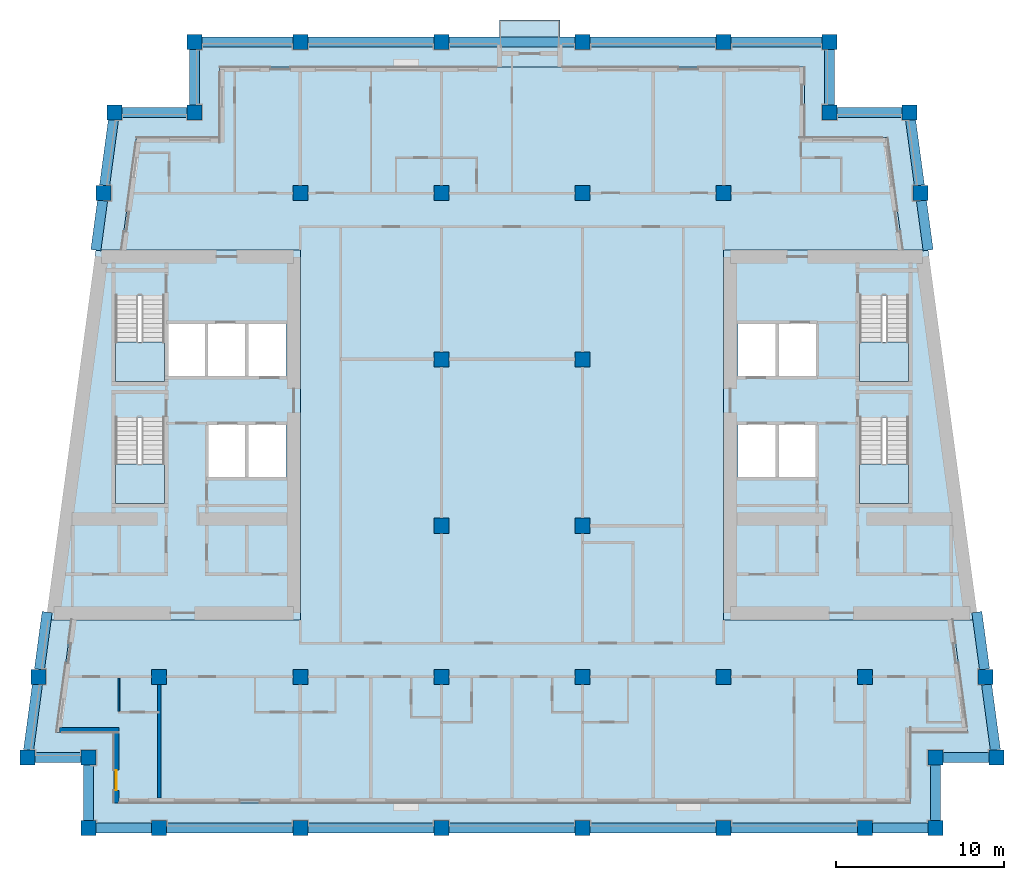
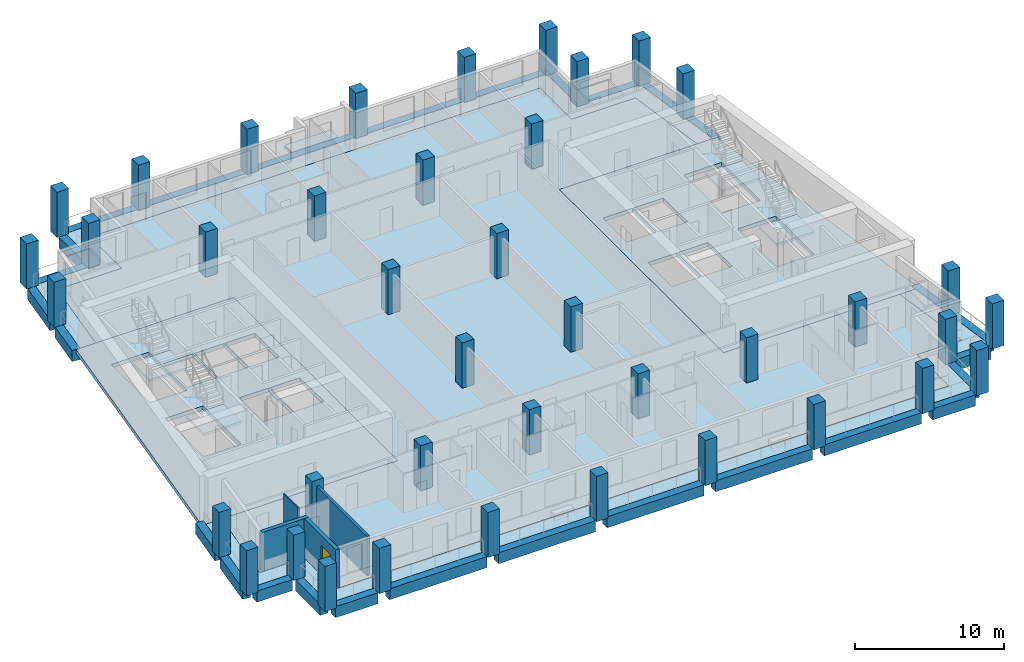
# One storey, part 1 of 13: 40 columns, 28 beams, 10 slabs, 4 walls, 1 door, 1 opening, 4 elements without a shape of their own.
"""IFC4 building model written with IfcOpenShell, lengths in metres."""

import ifcopenshell
import ifcopenshell.guid

model = None  # the IFC model being written
_history = None  # IfcOwnerHistory: only IFC2X3 demands one
_inside = {}  # id of a spatial element -> (the spatial element, [elements in it])
_under = {}  # id of a project, library or spatial element -> (it, [spatial elements below it])
_declared = {}  # id of a project -> (the project, [libraries it declares])
_typed = {}  # id of a type object -> (the type object, [elements of that type])
_made_of = {}  # id of a material, layer set ... -> (it, [elements and type objects made of it])


def new_model(schema):
    """Start an empty IFC model of exactly this schema.

    Asked for "IFC4X3", IfcOpenShell would pick the latest addendum, in which some entities
    have other attributes; the version numbers below select the first issue.
    IFC2X3 requires an IfcOwnerHistory on every rooted entity: one is made here for all.
    """
    global model, _history
    if schema == "IFC4X3":
        model = ifcopenshell.file(schema_version=(4, 3, 0, 0))
    else:
        model = ifcopenshell.file(schema=schema)
    _inside.clear()
    _under.clear()
    _declared.clear()
    _typed.clear()
    _made_of.clear()
    _history = None
    if model.schema == "IFC2X3":
        org = make("IfcOrganization", Name="unknown")
        user = make(
            "IfcPersonAndOrganization",
            ThePerson=make("IfcPerson", FamilyName="unknown"),
            TheOrganization=org,
        )
        app = make(
            "IfcApplication",
            ApplicationDeveloper=org,
            Version="unknown",
            ApplicationFullName="unknown",
            ApplicationIdentifier="unknown",
        )
        _history = make(
            "IfcOwnerHistory",
            OwningUser=user,
            OwningApplication=app,
            ChangeAction="ADDED",
            CreationDate=0,
        )
    return model


def make(cls, **values):
    """One entity of the class cls with the attributes given. An attribute that is None is left unset."""
    return model.create_entity(
        cls, **{name: value for name, value in values.items() if value is not None}
    )


def rooted(cls, **values):
    """An entity with a GlobalId (a new one), such as an element, a storey or a relation."""
    return make(cls, GlobalId=ifcopenshell.guid.new(), OwnerHistory=_history, **values)


def si_unit(unit_type, name, prefix=None):
    """IfcSIUnit, for example si_unit("LENGTHUNIT", "METRE", prefix="MILLI")."""
    return make("IfcSIUnit", UnitType=unit_type, Prefix=prefix, Name=name)


def assignment(units):
    """IfcUnitAssignment: the units of a project."""
    return None if units is None else make("IfcUnitAssignment", Units=units)


def point(xyz):
    """IfcCartesianPoint."""
    return None if xyz is None else make("IfcCartesianPoint", Coordinates=xyz)


def direction(xyz):
    """IfcDirection."""
    return None if xyz is None else make("IfcDirection", DirectionRatios=xyz)


def frame(location, z_axis=None, x_axis=None):
    """IfcAxis2Placement3D, a coordinate frame: its origin and axes. An axis left out is left unset."""
    return make(
        "IfcAxis2Placement3D",
        Location=point(location),
        Axis=direction(z_axis),
        RefDirection=direction(x_axis),
    )


def frame_2d(location, x_axis=None):
    """IfcAxis2Placement2D, a coordinate frame in the plane: its origin and x axis."""
    return make(
        "IfcAxis2Placement2D", Location=point(location), RefDirection=direction(x_axis)
    )


def origin():
    """The frame at (0, 0, 0) with its axes left unset."""
    return frame((0.0, 0.0, 0.0))


def origin_2d():
    """The frame at (0, 0) in the plane with its x axis left unset."""
    return frame_2d((0.0, 0.0))


def place(relative_to, where):
    """IfcLocalPlacement: puts the frame where relative to a parent placement (None: the world)."""
    return make(
        "IfcLocalPlacement", PlacementRelTo=relative_to, RelativePlacement=where
    )


def context(
    kind, dimensions, precision=None, world=None, true_north=None, identifier=None
):
    """IfcGeometricRepresentationContext, for example the 3D "Model" context."""
    return make(
        "IfcGeometricRepresentationContext",
        ContextIdentifier=identifier,
        ContextType=kind,
        CoordinateSpaceDimension=dimensions,
        Precision=precision,
        WorldCoordinateSystem=world,
        TrueNorth=true_north,
    )


def subcontext(parent, identifier, kind, view, scale=None):
    """IfcGeometricRepresentationSubContext, for example "Body" below "Model"."""
    return make(
        "IfcGeometricRepresentationSubContext",
        ContextIdentifier=identifier,
        ContextType=kind,
        ParentContext=parent,
        TargetScale=scale,
        TargetView=view,
    )


def project(units=None, contexts=None):
    """IfcProject with its units and contexts."""
    return rooted(
        "IfcProject",
        Name="project",
        RepresentationContexts=contexts,
        UnitsInContext=assignment(units),
    )


def spatial(cls, under=None, at=None, **own):
    """A site, building, storey or space (cls), placed at a placement, below another one or the project."""
    s = rooted(cls, ObjectPlacement=at, **own)
    if under is not None:
        _under.setdefault(under.id(), (under, []))[1].append(s)
    return s


def polyline(points):
    """IfcPolyline through the points."""
    return make("IfcPolyline", Points=[point(p) for p in points])


def profile(cls, at=None, kind="AREA", **sizes):
    """A parametric profile (cls). Its sizes go by their IFC names, for example OverallWidth=200.0."""
    return make(cls, ProfileType=kind, Position=at, **sizes)


def rectangle(**sizes):
    """IfcRectangleProfileDef."""
    return profile("IfcRectangleProfileDef", **sizes)


def outline(outer, holes=None, kind="AREA"):
    """IfcArbitraryClosedProfileDef: a profile drawn as a closed curve; with holes, ...WithVoids."""
    if holes is None:
        return make("IfcArbitraryClosedProfileDef", ProfileType=kind, OuterCurve=outer)
    return make(
        "IfcArbitraryProfileDefWithVoids",
        ProfileType=kind,
        OuterCurve=outer,
        InnerCurves=holes,
    )


def extrude(swept, where, along, depth):
    """IfcExtrudedAreaSolid: the profile swept, set in the frame where, extruded along a direction by depth."""
    return make(
        "IfcExtrudedAreaSolid",
        SweptArea=swept,
        Position=where,
        ExtrudedDirection=direction(along),
        Depth=depth,
    )


def shape(context_of_items, identifier, shape_type, items):
    """IfcShapeRepresentation: the items that make up one representation, for example the "Body"."""
    return make(
        "IfcShapeRepresentation",
        ContextOfItems=context_of_items,
        RepresentationIdentifier=identifier,
        RepresentationType=shape_type,
        Items=items,
    )


def material(Name=None, Category=None):
    """IfcMaterial."""
    return make("IfcMaterial", Name=Name, Category=Category)


def layer(
    of_material, thickness, ventilated=None, Name=None, Category=None, Priority=None
):
    """IfcMaterialLayer: one layer of a wall or slab, of a material (None: an air gap)."""
    return make(
        "IfcMaterialLayer",
        Material=of_material,
        LayerThickness=thickness,
        IsVentilated=ventilated,
        Name=Name,
        Category=Category,
        Priority=Priority,
    )


def layer_set(layers, Name=None):
    """IfcMaterialLayerSet."""
    return make("IfcMaterialLayerSet", MaterialLayers=layers, LayerSetName=Name)


def material_profile(
    of_material, cross_section, Name=None, Category=None, Priority=None
):
    """IfcMaterialProfile: a cross section and its material."""
    return make(
        "IfcMaterialProfile",
        Name=Name,
        Material=of_material,
        Profile=cross_section,
        Priority=Priority,
        Category=Category,
    )


def profile_set(profiles, Name=None, composite=None):
    """IfcMaterialProfileSet."""
    return make(
        "IfcMaterialProfileSet",
        Name=Name,
        MaterialProfiles=profiles,
        CompositeProfile=composite,
    )


def made_of(thing, what):
    """Note that an element or type object is made of a material, layer set ...; save() writes the relation."""
    if what is not None:
        _made_of.setdefault(what.id(), (what, []))[1].append(thing)
    return thing


def type_object(cls, material=None, **own):
    """A type object (cls), such as IfcWallType, which elements share."""
    return made_of(rooted(cls, **own), material)


def element(
    cls,
    number,
    at=None,
    inside=None,
    cuts=None,
    type_object=None,
    material=None,
    context=None,
    identifier="Body",
    shape_type=None,
    held_by="IfcProductDefinitionShape",
    body=None,
    shapes=None,
    **own,
):
    """One element of the class cls, such as IfcWall. Its Tag is "e" and its number.

    at: its placement. inside: the storey or other place that contains it. cuts: it is an
    opening in that element (IfcRelVoidsElement). A single representation is given by context,
    identifier, shape_type and body (its items); several are given by shapes. held_by: the class
    of the entity that holds the representations. save() writes the other relations.
    """
    e = rooted(cls, Tag="e%d" % number, ObjectPlacement=at, **own)
    if body is not None:
        shapes = [shape(context, identifier, shape_type, body)]
    if shapes is not None:
        e.Representation = make(held_by, Representations=shapes)
    if inside is not None:
        _inside.setdefault(inside.id(), (inside, []))[1].append(e)
    if cuts is not None:
        rooted(
            "IfcRelVoidsElement", RelatingBuildingElement=cuts, RelatedOpeningElement=e
        )
    if type_object is not None:
        _typed.setdefault(type_object.id(), (type_object, []))[1].append(e)
    return made_of(e, material)


def fill(opening, filler):
    """IfcRelFillsElement: the door or window that sits in an opening."""
    return rooted(
        "IfcRelFillsElement",
        RelatingOpeningElement=opening,
        RelatedBuildingElement=filler,
    )


def aggregate(whole, parts):
    """IfcRelAggregates: a whole, such as a stair, and the parts it consists of."""
    return rooted("IfcRelAggregates", RelatingObject=whole, RelatedObjects=parts)


def save(model, path):
    """Write the relations noted so far, then the file.

    IfcRelAggregates (storeys below a building ...), IfcRelContainedInSpatialStructure (elements
    in a storey), IfcRelDefinesByType, IfcRelAssociatesMaterial and IfcRelDeclares: one each for
    every whole, place, type object, material and project.
    """
    for whole, parts in _under.values():
        aggregate(whole, parts)
    for where, things in _inside.values():
        rooted(
            "IfcRelContainedInSpatialStructure",
            RelatedElements=things,
            RelatingStructure=where,
        )
    for kind, things in _typed.values():
        rooted("IfcRelDefinesByType", RelatedObjects=things, RelatingType=kind)
    for what, things in _made_of.values():
        rooted("IfcRelAssociatesMaterial", RelatedObjects=things, RelatingMaterial=what)
    for by, libraries in _declared.values():
        rooted("IfcRelDeclares", RelatingContext=by, RelatedDefinitions=libraries)
    model.write(path)


model = new_model("IFC4")

# Units and contexts
model_context = context("Model", 3, precision=1e-05, world=origin(), true_north=direction((0.0, 1.0)))
body_context = subcontext(model_context, "Body", "Model", "MODEL_VIEW")
ifc_project = project(units=[si_unit("LENGTHUNIT", "METRE"), si_unit("AREAUNIT", "SQUARE_METRE"), si_unit("VOLUMEUNIT", "CUBIC_METRE"), si_unit("PLANEANGLEUNIT", "RADIAN"), si_unit("MASSUNIT", "GRAM", prefix="KILO")], contexts=[model_context])

# Site, building, storey
site_placement = place(None, origin())
site = spatial("IfcSite", under=ifc_project, at=site_placement, CompositionType="ELEMENT")
building_placement = place(site_placement, origin())
building = spatial("IfcBuilding", under=site, at=building_placement, Name="Candeia Pilgrim Tower and Theatre", CompositionType="ELEMENT")
storey_placement = place(building_placement, frame((0.0, 0.0, 242.89990234375)))
storey = spatial("IfcBuildingStorey", under=building, at=storey_placement, Name="L59", CompositionType="ELEMENT", Elevation=242.89990234375)

# Columns
ifc_material_1 = material(Name="Concrete C50/60", Category="concrete")
ifc_material_profile_1 = material_profile(ifc_material_1, rectangle(XDim=0.89990234375, YDim=0.89990234375, at=origin_2d()))
ifc_profile_set_1 = profile_set([ifc_material_profile_1], Name="Concrete C50/60")
column_type = type_object("IfcColumnType", Name="RC 900x900 C50/60", PredefinedType="COLUMN", material=ifc_profile_set_1)
for number, where, z_axis, x_axis, name in (
    (1, (92.39990234375, 98.0, 0.0), (0.0, 0.0, 1.0), (1.0, 0.0, 0.0), "Column A1"),
    (2, (100.800048828125, 98.0, 0.0), (0.0, 0.0, 1.0), (1.0, 0.0, 0.0), "Column A2"),
    (3, (109.199951171875, 98.0, 0.0), (0.0, 0.0, 1.0), (1.0, 0.0, 0.0), "Column A3"),
    (4, (117.60009765625, 98.0, 0.0), (0.0, 0.0, 1.0), (1.0, 0.0, 0.0), "Column A4"),
    (5, (126.0, 98.0, 0.0), (0.0, 0.0, 1.0), (1.0, 0.0, 0.0), "Column A5"),
    (6, (134.39990234375, 98.0, 0.0), (0.0, 0.0, 1.0), (1.0, 0.0, 0.0), "Column A6"),
    (7, (88.199951171875, 98.0, 0.0), (0.0, 0.0, 1.0), (1.0, 0.0, 0.0), "Column AW"),
    (8, (138.60009765625, 98.0, 0.0), (0.0, 0.0, 1.0), (1.0, 0.0, 0.0), "Column AE"),
    (9, (88.199951171875, 102.199951171875, 0.0), (0.0, 0.0, 1.0), (1.0, 0.0, 0.0), "Column NSW"),
    (10, (138.60009765625, 102.199951171875, 0.0), (0.0, 0.0, 1.0), (1.0, 0.0, 0.0), "Column NSE"),
    (11, (94.5, 140.60009765625, 0.0), (0.0, 0.0, 1.0), (1.0, 0.0, 0.0), "Column NNW"),
    (12, (132.300048828125, 140.60009765625, 0.0), (0.0, 0.0, 1.0), (1.0, 0.0, 0.0), "Column NNE"),
    (13, (84.5654296875, 102.199951171875, 0.0), (0.0, 0.0, 1.0), (1.0, 0.0, 0.0), "Column LSW"),
    (14, (142.234619140625, 102.199951171875, 0.0), (0.0, 0.0, 1.0), (1.0, 0.0, 0.0), "Column LSE"),
    (15, (89.734619140625, 140.60009765625, 0.0), (0.0, 0.0, 1.0), (1.0, 0.0, 0.0), "Column LNW"),
    (16, (137.0654296875, 140.60009765625, 0.0), (0.0, 0.0, 1.0), (1.0, 0.0, 0.0), "Column LNE"),
    (17, (92.39990234375, 107.0, 0.0), (0.0, 0.0, 1.0), (1.0, 0.0, 0.0), "Column B1"),
    (18, (100.800048828125, 107.0, 0.0), (0.0, 0.0, 1.0), (1.0, 0.0, 0.0), "Column B2"),
    (19, (109.199951171875, 107.0, 0.0), (0.0, 0.0, 1.0), (1.0, 0.0, 0.0), "Column B3"),
    (20, (117.60009765625, 107.0, 0.0), (0.0, 0.0, 1.0), (1.0, 0.0, 0.0), "Column B4"),
    (21, (126.0, 107.0, 0.0), (0.0, 0.0, 1.0), (1.0, 0.0, 0.0), "Column B5"),
    (22, (134.39990234375, 107.0, 0.0), (0.0, 0.0, 1.0), (1.0, 0.0, 0.0), "Column B6"),
    (23, (85.21142578125, 107.0, 0.0), (0.0, 0.0, 1.0), (1.0, 0.0, 0.0), "Column BW"),
    (24, (141.58837890625, 107.0, 0.0), (0.0, 0.0, 1.0), (1.0, 0.0, 0.0), "Column BE"),
    (25, (109.199951171875, 116.0, 0.0), (0.0, 0.0, 1.0), (1.0, 0.0, 0.0), "Column C3"),
    (26, (117.60009765625, 116.0, 0.0), (0.0, 0.0, 1.0), (1.0, 0.0, 0.0), "Column C4"),
    (27, (109.199951171875, 125.89990234375, 0.0), (0.0, 0.0, 1.0), (1.0, 0.0, 0.0), "Column D3"),
    (28, (117.60009765625, 125.89990234375, 0.0), (0.0, 0.0, 1.0), (1.0, 0.0, 0.0), "Column D4"),
    (29, (100.800048828125, 135.800048828125, 0.0), (0.0, 0.0, 1.0), (1.0, 0.0, 0.0), "Column E2"),
    (30, (109.199951171875, 135.800048828125, 0.0), (0.0, 0.0, 1.0), (1.0, 0.0, 0.0), "Column E3"),
    (31, (117.60009765625, 135.800048828125, 0.0), (0.0, 0.0, 1.0), (1.0, 0.0, 0.0), "Column E4"),
    (32, (126.0, 135.800048828125, 0.0), (0.0, 0.0, 1.0), (1.0, 0.0, 0.0), "Column E5"),
    (33, (89.08837890625, 135.800048828125, 0.0), (0.0, 0.0, 1.0), (1.0, 0.0, 0.0), "Column EW"),
    (34, (137.71142578125, 135.800048828125, 0.0), (0.0, 0.0, 1.0), (1.0, 0.0, 0.0), "Column EE"),
    (35, (100.800048828125, 144.800048828125, 0.0), (0.0, 0.0, 1.0), (1.0, 0.0, 0.0), "Column F2"),
    (36, (109.199951171875, 144.800048828125, 0.0), (0.0, 0.0, 1.0), (1.0, 0.0, 0.0), "Column F3"),
    (37, (117.60009765625, 144.800048828125, 0.0), (0.0, 0.0, 1.0), (1.0, 0.0, 0.0), "Column F4"),
    (38, (126.0, 144.800048828125, 0.0), (0.0, 0.0, 1.0), (1.0, 0.0, 0.0), "Column F5"),
    (39, (94.5, 144.800048828125, 0.0), (0.0, 0.0, 1.0), (1.0, 0.0, 0.0), "Column FW"),
    (40, (132.300048828125, 144.800048828125, 0.0), (0.0, 0.0, 1.0), (1.0, 0.0, 0.0), "Column FE"),
):
    element("IfcColumn", number, at=place(storey_placement, frame(where, z_axis=z_axis, x_axis=x_axis)), inside=storey, type_object=column_type, Name=name, PredefinedType="COLUMN", context=body_context, shape_type="SweptSolid", body=[
        extrude(rectangle(XDim=0.89990234375, YDim=0.89990234375, at=origin_2d()), origin(), (0.0, 0.0, 1.0), 3.7001953125),
    ])

# Beams
ifc_material_profile_2 = material_profile(ifc_material_1, rectangle(XDim=0.60009765625, YDim=0.89990234375, at=origin_2d()))
ifc_profile_set_2 = profile_set([ifc_material_profile_2], Name="Concrete C50/60")
beam_type = type_object("IfcBeamType", Name="RC 600x900 C50/60", PredefinedType="BEAM", material=ifc_profile_set_2)
beam_1_placement = place(storey_placement, frame((88.64990234375, 98.0, -0.449951171875), z_axis=(1.0, 0.0, 0.0), x_axis=(0.0, 1.0, 0.0)))
element("IfcBeam", 41, at=beam_1_placement, inside=storey, type_object=beam_type, Name="Spandrel beam L59-01", PredefinedType="BEAM", context=body_context, shape_type="SweptSolid", body=[
    extrude(rectangle(XDim=0.60009765625, YDim=0.89990234375, at=origin_2d()), origin(), (0.0, 0.0, 1.0), 3.300048828125),
])
for number, where, z_axis, x_axis, name in (
    (42, (92.85009765625, 98.0, -0.449951171875), (1.0, 0.0, 0.0), (0.0, 1.0, 0.0), "Spandrel beam L59-02"),
    (43, (101.25, 98.0, -0.449951171875), (1.0, 0.0, 0.0), (0.0, 1.0, 0.0), "Spandrel beam L59-03"),
    (44, (109.64990234375, 98.0, -0.449951171875), (1.0, 0.0, 0.0), (0.0, 1.0, 0.0), "Spandrel beam L59-04"),
    (45, (118.050048828125, 98.0, -0.449951171875), (1.0, 0.0, 0.0), (0.0, 1.0, 0.0), "Spandrel beam L59-05"),
    (46, (126.449951171875, 98.0, -0.449951171875), (1.0, 0.0, 0.0), (0.0, 1.0, 0.0), "Spandrel beam L59-06"),
):
    element("IfcBeam", number, at=place(storey_placement, frame(where, z_axis=z_axis, x_axis=x_axis)), inside=storey, type_object=beam_type, Name=name, PredefinedType="BEAM", context=body_context, shape_type="SweptSolid", body=[
        extrude(rectangle(XDim=0.60009765625, YDim=0.89990234375, at=origin_2d()), origin(), (0.0, 0.0, 1.0), 7.5),
    ])
beam_2_placement = place(storey_placement, frame((134.85009765625, 98.0, -0.449951171875), z_axis=(1.0, 0.0, 0.0), x_axis=(0.0, 1.0, 0.0)))
element("IfcBeam", 47, at=beam_2_placement, inside=storey, type_object=beam_type, Name="Spandrel beam L59-07", PredefinedType="BEAM", context=body_context, shape_type="SweptSolid", body=[
    extrude(rectangle(XDim=0.60009765625, YDim=0.89990234375, at=origin_2d()), origin(), (0.0, 0.0, 1.0), 3.2998046875),
])
beam_3_placement = place(storey_placement, frame((138.60009765625, 98.449951171875, -0.449951171875), z_axis=(0.0, 1.0, 0.0), x_axis=(-1.0, 0.0, 0.0)))
element("IfcBeam", 48, at=beam_3_placement, inside=storey, type_object=beam_type, Name="Spandrel beam L59-08", PredefinedType="BEAM", context=body_context, shape_type="SweptSolid", body=[
    extrude(rectangle(XDim=0.60009765625, YDim=0.89990234375, at=origin_2d()), origin(), (0.0, 0.0, 1.0), 3.300048828125),
])
beam_4_placement = place(storey_placement, frame((139.050048828125, 102.199951171875, -0.449951171875), z_axis=(1.0, 0.0, 0.0), x_axis=(0.0, 1.0, 0.0)))
element("IfcBeam", 49, at=beam_4_placement, inside=storey, type_object=beam_type, Name="Spandrel beam L59-09", PredefinedType="BEAM", context=body_context, shape_type="SweptSolid", body=[
    extrude(rectangle(XDim=0.60009765625, YDim=0.89990234375, at=origin_2d()), origin(), (0.0, 0.0, 1.0), 2.734619140625),
])
beam_5_placement = place(storey_placement, frame((142.174072265625, 102.64990234375, -0.449951171875), z_axis=(-0.133443650757, 0.991056402064, 0.0), x_axis=(-0.991056402064, -0.133443650757, 0.0)))
element("IfcBeam", 50, at=beam_5_placement, inside=storey, type_object=beam_type, Name="Spandrel beam L59-10", PredefinedType="BEAM", context=body_context, shape_type="SweptSolid", body=[
    extrude(rectangle(XDim=0.60009765625, YDim=0.89990234375, at=origin_2d()), origin(), (0.0, 0.0, 1.0), 3.935302734375),
])
beam_6_placement = place(storey_placement, frame((141.52783203125, 107.449951171875, -0.449951171875), z_axis=(-0.133374411439, 0.99106572253, 0.0), x_axis=(-0.99106572253, -0.133374411439, 0.0)))
element("IfcBeam", 51, at=beam_6_placement, inside=storey, type_object=beam_type, Name="Spandrel beam L59-11", PredefinedType="BEAM", context=body_context, shape_type="SweptSolid", body=[
    extrude(rectangle(XDim=0.60009765625, YDim=0.89990234375, at=origin_2d()), origin(), (0.0, 0.0, 1.0), 3.43408203125),
])
beam_7_placement = place(storey_placement, frame((138.169189453125, 132.39990234375, -0.449951171875), z_axis=(-0.133356242983, 0.991068167412, 0.0), x_axis=(-0.991068167412, -0.133356242983, 0.0)))
element("IfcBeam", 52, at=beam_7_placement, inside=storey, type_object=beam_type, Name="Spandrel beam L59-12", PredefinedType="BEAM", context=body_context, shape_type="SweptSolid", body=[
    extrude(rectangle(XDim=0.60009765625, YDim=0.89990234375, at=origin_2d()), origin(), (0.0, 0.0, 1.0), 2.976806640625),
])
beam_8_placement = place(storey_placement, frame((137.65087890625, 136.25, -0.449951171875), z_axis=(-0.133390918184, 0.991063500965, 0.0), x_axis=(-0.991063500965, -0.133390918184, 0.0)))
element("IfcBeam", 53, at=beam_8_placement, inside=storey, type_object=beam_type, Name="Spandrel beam L59-13", PredefinedType="BEAM", context=body_context, shape_type="SweptSolid", body=[
    extrude(rectangle(XDim=0.60009765625, YDim=0.89990234375, at=origin_2d()), origin(), (0.0, 0.0, 1.0), 3.93505859375),
])
beam_9_placement = place(storey_placement, frame((136.615478515625, 140.60009765625, -0.449951171875), z_axis=(-1.0, 0.0, 0.0), x_axis=(0.0, -1.0, 0.0)))
element("IfcBeam", 54, at=beam_9_placement, inside=storey, type_object=beam_type, Name="Spandrel beam L59-14", PredefinedType="BEAM", context=body_context, shape_type="SweptSolid", body=[
    extrude(rectangle(XDim=0.60009765625, YDim=0.89990234375, at=origin_2d()), origin(), (0.0, 0.0, 1.0), 3.865478515625),
])
beam_10_placement = place(storey_placement, frame((132.300048828125, 141.050048828125, -0.449951171875), z_axis=(0.0, 1.0, 0.0), x_axis=(-1.0, 0.0, 0.0)))
element("IfcBeam", 55, at=beam_10_placement, inside=storey, type_object=beam_type, Name="Spandrel beam L59-15", PredefinedType="BEAM", context=body_context, shape_type="SweptSolid", body=[
    extrude(rectangle(XDim=0.60009765625, YDim=0.89990234375, at=origin_2d()), origin(), (0.0, 0.0, 1.0), 3.300048828125),
])
beam_11_placement = place(storey_placement, frame((131.85009765625, 144.800048828125, -0.449951171875), z_axis=(-1.0, 0.0, 0.0), x_axis=(0.0, -1.0, 0.0)))
element("IfcBeam", 56, at=beam_11_placement, inside=storey, type_object=beam_type, Name="Spandrel beam L59-16", PredefinedType="BEAM", context=body_context, shape_type="SweptSolid", body=[
    extrude(rectangle(XDim=0.60009765625, YDim=0.89990234375, at=origin_2d()), origin(), (0.0, 0.0, 1.0), 5.400146484375),
])
for number, where, z_axis, x_axis, name in (
    (57, (125.550048828125, 144.800048828125, -0.449951171875), (-1.0, 0.0, 0.0), (0.0, -1.0, 0.0), "Spandrel beam L59-17"),
    (58, (117.14990234375, 144.800048828125, -0.449951171875), (-1.0, 0.0, 0.0), (0.0, -1.0, 0.0), "Spandrel beam L59-18"),
    (59, (108.75, 144.800048828125, -0.449951171875), (-1.0, 0.0, 0.0), (0.0, -1.0, 0.0), "Spandrel beam L59-19"),
):
    element("IfcBeam", number, at=place(storey_placement, frame(where, z_axis=z_axis, x_axis=x_axis)), inside=storey, type_object=beam_type, Name=name, PredefinedType="BEAM", context=body_context, shape_type="SweptSolid", body=[
        extrude(rectangle(XDim=0.60009765625, YDim=0.89990234375, at=origin_2d()), origin(), (0.0, 0.0, 1.0), 7.5),
    ])
beam_12_placement = place(storey_placement, frame((100.35009765625, 144.800048828125, -0.449951171875), z_axis=(-1.0, 0.0, 0.0), x_axis=(0.0, -1.0, 0.0)))
element("IfcBeam", 60, at=beam_12_placement, inside=storey, type_object=beam_type, Name="Spandrel beam L59-20", PredefinedType="BEAM", context=body_context, shape_type="SweptSolid", body=[
    extrude(rectangle(XDim=0.60009765625, YDim=0.89990234375, at=origin_2d()), origin(), (0.0, 0.0, 1.0), 5.400146484375),
])
beam_13_placement = place(storey_placement, frame((94.5, 144.35009765625, -0.449951171875), z_axis=(0.0, -1.0, 0.0), x_axis=(1.0, 0.0, 0.0)))
element("IfcBeam", 61, at=beam_13_placement, inside=storey, type_object=beam_type, Name="Spandrel beam L59-21", PredefinedType="BEAM", context=body_context, shape_type="SweptSolid", body=[
    extrude(rectangle(XDim=0.60009765625, YDim=0.89990234375, at=origin_2d()), origin(), (0.0, 0.0, 1.0), 3.300048828125),
])
beam_14_placement = place(storey_placement, frame((94.050048828125, 140.60009765625, -0.449951171875), z_axis=(-1.0, 0.0, 0.0), x_axis=(0.0, -1.0, 0.0)))
element("IfcBeam", 62, at=beam_14_placement, inside=storey, type_object=beam_type, Name="Spandrel beam L59-22", PredefinedType="BEAM", context=body_context, shape_type="SweptSolid", body=[
    extrude(rectangle(XDim=0.60009765625, YDim=0.89990234375, at=origin_2d()), origin(), (0.0, 0.0, 1.0), 3.865478515625),
])
beam_15_placement = place(storey_placement, frame((89.674072265625, 140.14990234375, -0.449951171875), z_axis=(-0.133451855788, -0.99105529724, 0.0), x_axis=(0.99105529724, -0.133451855788, 0.0)))
element("IfcBeam", 63, at=beam_15_placement, inside=storey, type_object=beam_type, Name="Spandrel beam L59-23", PredefinedType="BEAM", context=body_context, shape_type="SweptSolid", body=[
    extrude(rectangle(XDim=0.60009765625, YDim=0.89990234375, at=origin_2d()), origin(), (0.0, 0.0, 1.0), 3.93505859375),
])
beam_16_placement = place(storey_placement, frame((89.02783203125, 135.35009765625, -0.449951171875), z_axis=(-0.133356242983, -0.991068167412, 0.0), x_axis=(0.991068167412, -0.133356242983, 0.0)))
element("IfcBeam", 64, at=beam_16_placement, inside=storey, type_object=beam_type, Name="Spandrel beam L59-24", PredefinedType="BEAM", context=body_context, shape_type="SweptSolid", body=[
    extrude(rectangle(XDim=0.60009765625, YDim=0.89990234375, at=origin_2d()), origin(), (0.0, 0.0, 1.0), 2.976806640625),
])
beam_17_placement = place(storey_placement, frame((85.730224609375, 110.853271484375, -0.449951171875), z_axis=(-0.133374411439, -0.99106572253, 0.0), x_axis=(0.99106572253, -0.133374411439, 0.0)))
element("IfcBeam", 65, at=beam_17_placement, inside=storey, type_object=beam_type, Name="Spandrel beam L59-25", PredefinedType="BEAM", context=body_context, shape_type="SweptSolid", body=[
    extrude(rectangle(XDim=0.60009765625, YDim=0.89990234375, at=origin_2d()), origin(), (0.0, 0.0, 1.0), 3.43408203125),
])
beam_18_placement = place(storey_placement, frame((85.15087890625, 106.550048828125, -0.449951171875), z_axis=(-0.133382716764, -0.991064604791, 0.0), x_axis=(0.991064604791, -0.133382716764, 0.0)))
element("IfcBeam", 66, at=beam_18_placement, inside=storey, type_object=beam_type, Name="Spandrel beam L59-26", PredefinedType="BEAM", context=body_context, shape_type="SweptSolid", body=[
    extrude(rectangle(XDim=0.60009765625, YDim=0.89990234375, at=origin_2d()), origin(), (0.0, 0.0, 1.0), 3.935302734375),
])
beam_19_placement = place(storey_placement, frame((85.015380859375, 102.199951171875, -0.449951171875), z_axis=(1.0, 0.0, 0.0), x_axis=(0.0, 1.0, 0.0)))
element("IfcBeam", 67, at=beam_19_placement, inside=storey, type_object=beam_type, Name="Spandrel beam L59-27", PredefinedType="BEAM", context=body_context, shape_type="SweptSolid", body=[
    extrude(rectangle(XDim=0.60009765625, YDim=0.89990234375, at=origin_2d()), origin(), (0.0, 0.0, 1.0), 2.734619140625),
])
beam_20_placement = place(storey_placement, frame((88.199951171875, 101.75, -0.449951171875), z_axis=(0.0, -1.0, 0.0), x_axis=(1.0, 0.0, 0.0)))
element("IfcBeam", 68, at=beam_20_placement, inside=storey, type_object=beam_type, Name="Spandrel beam L59-28", PredefinedType="BEAM", context=body_context, shape_type="SweptSolid", body=[
    extrude(rectangle(XDim=0.60009765625, YDim=0.89990234375, at=origin_2d()), origin(), (0.0, 0.0, 1.0), 3.300048828125),
])

# Slabs
ifc_material_2 = material(Name="Concrete C40/50", Category="concrete")
ifc_layer_1 = layer(ifc_material_2, 0.25)
ifc_layer_set_1 = layer_set([ifc_layer_1], Name="BK1 balcony slab 250")
slab_type_1 = type_object("IfcSlabType", Name="BK1 balcony slab 250", PredefinedType="USERDEFINED", material=ifc_layer_set_1)
slab_1_placement = place(storey_placement, frame((0.0, 0.0, -0.25)))
element("IfcSlab", 69, at=slab_1_placement, inside=storey, type_object=slab_type_1, Name="Balcony L59", ObjectType="BALCONY", PredefinedType="USERDEFINED", context=body_context, shape_type="SweptSolid", body=[
    extrude(outline(polyline([(112.64990234375, 144.5), (116.25, 144.5), (116.25, 146.10009765625), (112.64990234375, 146.10009765625), (112.64990234375, 144.5)])), origin(), (0.0, 0.0, 1.0), 0.25),
])
ifc_material_3 = material(Name="Concrete C60/75", Category="concrete")
ifc_layer_2 = layer(ifc_material_3, 0.320068359375)
ifc_layer_set_2 = layer_set([ifc_layer_2], Name="FS-CORE 320 core floor")
slab_type_2 = type_object("IfcSlabType", Name="FS-CORE 320 core floor", PredefinedType="FLOOR", material=ifc_layer_set_2)
slab_2_placement = place(storey_placement, frame((0.0, 0.0, -0.31982421875)))
element("IfcSlab", 70, at=slab_2_placement, inside=storey, type_object=slab_type_2, Name="Core floor W L59", PredefinedType="FLOOR", context=body_context, shape_type="SweptSolid", body=[
    extrude(outline(polyline([(100.800048828125, 132.39990234375), (100.800048828125, 110.39990234375), (85.669189453125, 110.39990234375), (88.630859375, 132.39990234375), (100.800048828125, 132.39990234375)]), holes=[polyline([(97.658935546875, 128.050048828125), (97.658935546875, 124.85009765625), (99.949951171875, 124.85009765625), (99.949951171875, 128.050048828125), (97.658935546875, 128.050048828125)]), polyline([(97.66357421875, 122.050048828125), (97.66357421875, 118.85009765625), (99.949951171875, 118.85009765625), (99.949951171875, 122.050048828125), (97.66357421875, 122.050048828125)]), polyline([(95.277099609375, 122.050048828125), (95.277099609375, 118.85009765625), (97.5634765625, 118.85009765625), (97.5634765625, 122.050048828125), (95.277099609375, 122.050048828125)]), polyline([(95.26806640625, 128.050048828125), (95.26806640625, 124.85009765625), (97.55908203125, 124.85009765625), (97.55908203125, 128.050048828125), (95.26806640625, 128.050048828125)]), polyline([(92.876953125, 128.050048828125), (92.876953125, 124.85009765625), (95.16796875, 124.85009765625), (95.16796875, 128.050048828125), (92.876953125, 128.050048828125)]), polyline([(89.802001953125, 117.324951171875), (92.701904296875, 117.324951171875), (92.701904296875, 122.455078125), (89.802001953125, 122.455078125), (89.802001953125, 117.324951171875)]), polyline([(89.802001953125, 129.705078125), (89.802001953125, 124.574951171875), (92.701904296875, 124.574951171875), (92.701904296875, 129.705078125), (89.802001953125, 129.705078125)])]), origin(), (0.0, 0.0, 1.0), 0.31982421875),
])
slab_3_placement = place(storey_placement, frame((0.0, 0.0, -0.31982421875)))
element("IfcSlab", 71, at=slab_3_placement, inside=storey, type_object=slab_type_2, Name="Core floor E L59", PredefinedType="FLOOR", context=body_context, shape_type="SweptSolid", body=[
    extrude(outline(polyline([(138.169189453125, 132.39990234375), (141.130859375, 110.39990234375), (126.0, 110.39990234375), (126.0, 132.39990234375), (138.169189453125, 132.39990234375)]), holes=[polyline([(134.097900390625, 117.324951171875), (136.998046875, 117.324951171875), (136.998046875, 122.455078125), (134.097900390625, 122.455078125), (134.097900390625, 117.324951171875)]), polyline([(134.097900390625, 129.705078125), (134.097900390625, 124.574951171875), (136.998046875, 124.574951171875), (136.998046875, 129.705078125), (134.097900390625, 129.705078125)]), polyline([(131.531982421875, 128.050048828125), (129.240966796875, 128.050048828125), (129.240966796875, 124.85009765625), (131.531982421875, 124.85009765625), (131.531982421875, 128.050048828125)]), polyline([(131.52294921875, 122.050048828125), (129.236572265625, 122.050048828125), (129.236572265625, 118.85009765625), (131.52294921875, 118.85009765625), (131.52294921875, 122.050048828125)]), polyline([(126.85009765625, 128.050048828125), (126.85009765625, 124.85009765625), (129.14111328125, 124.85009765625), (129.14111328125, 128.050048828125), (126.85009765625, 128.050048828125)]), polyline([(129.136474609375, 122.050048828125), (126.85009765625, 122.050048828125), (126.85009765625, 118.85009765625), (129.136474609375, 118.85009765625), (129.136474609375, 122.050048828125)])]), origin(), (0.0, 0.0, 1.0), 0.31982421875),
])
ifc_layer_3 = layer(ifc_material_1, 0.320068359375)
ifc_layer_set_3 = layer_set([ifc_layer_3], Name="Floor slab 320 C50/60")
slab_type_3 = type_object("IfcSlabType", Name="Floor slab 320 C50/60", PredefinedType="FLOOR", material=ifc_layer_set_3)
slab_4_placement = place(storey_placement, frame((0.0, 0.0, -0.31982421875)))
element("IfcSlab", 72, at=slab_4_placement, inside=storey, type_object=slab_type_3, Name="Floor slab L59", PredefinedType="FLOOR", context=body_context, shape_type="SweptSolid", body=[
    extrude(outline(polyline([(96.0, 139.10009765625), (96.0, 143.300048828125), (130.800048828125, 143.300048828125), (130.800048828125, 139.10009765625), (135.753662109375, 139.10009765625), (136.65576171875, 132.39990234375), (126.0, 132.39990234375), (126.0, 110.39990234375), (139.6171875, 110.39990234375), (140.51904296875, 103.699951171875), (137.10009765625, 103.699951171875), (137.10009765625, 99.5), (89.699951171875, 99.5), (89.699951171875, 103.699951171875), (86.28076171875, 103.699951171875), (87.182861328125, 110.39990234375), (100.800048828125, 110.39990234375), (100.800048828125, 132.39990234375), (90.144287109375, 132.39990234375), (91.046142578125, 139.10009765625), (96.0, 139.10009765625)])), origin(), (0.0, 0.0, 1.0), 0.31982421875),
])
ifc_layer_4 = layer(ifc_material_2, 0.25)
ifc_layer_set_4 = layer_set([ifc_layer_4], Name="Loggia slab 250 C40/50")
slab_type_4 = type_object("IfcSlabType", Name="Loggia slab 250 C40/50", PredefinedType="FLOOR", material=ifc_layer_set_4)
slab_5_placement = place(storey_placement, frame((0.0, 0.0, -0.25)))
element("IfcSlab", 73, at=slab_5_placement, inside=storey, type_object=slab_type_4, Name="Loggia slab L59 1", PredefinedType="FLOOR", context=body_context, shape_type="SweptSolid", body=[
    extrude(outline(polyline([(87.182861328125, 110.39990234375), (86.28076171875, 103.699951171875), (89.699951171875, 103.699951171875), (89.699951171875, 99.5), (137.10009765625, 99.5), (137.10009765625, 103.699951171875), (140.51904296875, 103.699951171875), (139.6171875, 110.39990234375), (140.828125, 110.39990234375), (141.8916015625, 102.5), (138.300048828125, 102.5), (138.300048828125, 98.300048828125), (88.5, 98.300048828125), (88.5, 102.5), (84.908447265625, 102.5), (85.971923828125, 110.39990234375), (87.182861328125, 110.39990234375)])), origin(), (0.0, 0.0, 1.0), 0.25),
])
slab_6_placement = place(storey_placement, frame((0.0, 0.0, -0.25)))
element("IfcSlab", 74, at=slab_6_placement, inside=storey, type_object=slab_type_4, Name="Loggia slab L59 2", PredefinedType="FLOOR", context=body_context, shape_type="SweptSolid", body=[
    extrude(outline(polyline([(136.65576171875, 132.39990234375), (135.753662109375, 139.10009765625), (130.800048828125, 139.10009765625), (130.800048828125, 143.300048828125), (96.0, 143.300048828125), (96.0, 139.10009765625), (91.046142578125, 139.10009765625), (90.144287109375, 132.39990234375), (88.93359375, 132.39990234375), (89.996826171875, 140.300048828125), (94.800048828125, 140.300048828125), (94.800048828125, 144.5), (132.0, 144.5), (132.0, 140.300048828125), (136.802978515625, 140.300048828125), (137.866455078125, 132.39990234375), (136.65576171875, 132.39990234375)])), origin(), (0.0, 0.0, 1.0), 0.25),
])

# Stair, slab
stair_type = type_object("IfcStairType", Name="ST-TWR dog-leg escape stair", PredefinedType="HALF_TURN_STAIR", material=ifc_material_2)
stair_1_placement = place(storey_placement, origin())
stair_1 = element("IfcStair", 75, at=stair_1_placement, inside=storey, type_object=stair_type, Name="L59 Escape stair ST1", PredefinedType="HALF_TURN_STAIR")
ifc_layer_5 = layer(ifc_material_2, 0.199951171875)
ifc_layer_set_5 = layer_set([ifc_layer_5], Name="SL-LANDING stair landing")
slab_type_5 = type_object("IfcSlabType", Name="SL-LANDING stair landing", PredefinedType="LANDING", material=ifc_layer_set_5)
slab_7_placement = place(storey_placement, frame((0.0, 0.0, 1.650146484375)))
slab_7 = element("IfcSlab", 76, at=slab_7_placement, type_object=slab_type_5, Name="ST1 landing 1", PredefinedType="LANDING", context=body_context, shape_type="SweptSolid", body=[
    extrude(outline(polyline([(89.802001953125, 119.675048828125), (89.802001953125, 117.324951171875), (92.701904296875, 117.324951171875), (92.701904296875, 119.675048828125), (89.802001953125, 119.675048828125)])), origin(), (0.0, 0.0, 1.0), 0.199951171875),
])
aggregate(stair_1, [slab_7])

stair_2_placement = place(storey_placement, origin())
stair_2 = element("IfcStair", 77, at=stair_2_placement, inside=storey, type_object=stair_type, Name="L59 Escape stair ST2", PredefinedType="HALF_TURN_STAIR")
slab_8_placement = place(storey_placement, frame((0.0, 0.0, 1.650146484375)))
slab_8 = element("IfcSlab", 78, at=slab_8_placement, type_object=slab_type_5, Name="ST2 landing 1", PredefinedType="LANDING", context=body_context, shape_type="SweptSolid", body=[
    extrude(outline(polyline([(89.802001953125, 126.925048828125), (89.802001953125, 124.574951171875), (92.701904296875, 124.574951171875), (92.701904296875, 126.925048828125), (89.802001953125, 126.925048828125)])), origin(), (0.0, 0.0, 1.0), 0.199951171875),
])
aggregate(stair_2, [slab_8])

stair_3_placement = place(storey_placement, origin())
stair_3 = element("IfcStair", 79, at=stair_3_placement, inside=storey, type_object=stair_type, Name="L59 Escape stair ST3", PredefinedType="HALF_TURN_STAIR")
slab_9_placement = place(storey_placement, frame((0.0, 0.0, 1.650146484375)))
slab_9 = element("IfcSlab", 80, at=slab_9_placement, type_object=slab_type_5, Name="ST3 landing 1", PredefinedType="LANDING", context=body_context, shape_type="SweptSolid", body=[
    extrude(outline(polyline([(134.097900390625, 119.675048828125), (134.097900390625, 117.324951171875), (136.998046875, 117.324951171875), (136.998046875, 119.675048828125), (134.097900390625, 119.675048828125)])), origin(), (0.0, 0.0, 1.0), 0.199951171875),
])
aggregate(stair_3, [slab_9])

stair_4_placement = place(storey_placement, origin())
stair_4 = element("IfcStair", 81, at=stair_4_placement, inside=storey, type_object=stair_type, Name="L59 Escape stair ST4", PredefinedType="HALF_TURN_STAIR")
slab_10_placement = place(storey_placement, frame((0.0, 0.0, 1.650146484375)))
slab_10 = element("IfcSlab", 82, at=slab_10_placement, type_object=slab_type_5, Name="ST4 landing 1", PredefinedType="LANDING", context=body_context, shape_type="SweptSolid", body=[
    extrude(outline(polyline([(134.097900390625, 126.925048828125), (134.097900390625, 124.574951171875), (136.998046875, 124.574951171875), (136.998046875, 126.925048828125), (134.097900390625, 126.925048828125)])), origin(), (0.0, 0.0, 1.0), 0.199951171875),
])
aggregate(stair_4, [slab_10])

# Wall
ifc_material_4 = material(Name="Ceramic block masonry", Category="masonry")
ifc_layer_6 = layer(ifc_material_4, 0.300048828125)
ifc_layer_set_6 = layer_set([ifc_layer_6], Name="EW1 glazing-line wall 300")
wall_type_1 = type_object("IfcWallType", Name="EW1 glazing-line wall 300", PredefinedType="SOLIDWALL", material=ifc_layer_set_6)
wall_1_placement = place(storey_placement, frame((86.452392578125, 103.85009765625, 0.0), z_axis=(0.0, 0.0, 1.0), x_axis=(1.0, 0.0, 0.0)))
element("IfcWall", 83, at=wall_1_placement, inside=storey, type_object=wall_type_1, Name="External wall L59-10.0", PredefinedType="SOLIDWALL", context=body_context, shape_type="SweptSolid", body=[
    extrude(rectangle(XDim=3.547607421875, YDim=0.300048828125, at=frame_2d((1.77392578125, 0.0))), origin(), (0.0, 0.0, 1.0), 3.2001953125),
])

# Wall, opening, door
wall_2_placement = place(storey_placement, frame((89.85009765625, 103.85009765625, 0.0), z_axis=(0.0, 0.0, 1.0), x_axis=(0.0, -1.0, 0.0)))
wall_2 = element("IfcWall", 84, at=wall_2_placement, inside=storey, type_object=wall_type_1, Name="External wall L59-11.0", PredefinedType="SOLIDWALL", context=body_context, shape_type="SweptSolid", body=[
    extrude(rectangle(XDim=4.35009765625, YDim=0.300048828125, at=frame_2d((2.175048828125, 0.0))), origin(), (0.0, 0.0, 1.0), 3.2001953125),
])
opening_placement = place(wall_2_placement, frame((2.39990234375, 0.0, 0.0)))
opening = element("IfcOpeningElement", 85, at=opening_placement, cuts=wall_2, Name="Opening L59-ED576", PredefinedType="OPENING", context=body_context, shape_type="SweptSolid", body=[
    extrude(rectangle(XDim=1.199951171875, YDim=2.39990234375, at=frame_2d((0.60009765625, 1.199951171875))), frame((0.0, 0.16015625, 0.0), z_axis=(0.0, -1.0, 0.0), x_axis=(1.0, 0.0, 0.0)), (0.0, 0.0, 1.0), 0.320068359375),
])
ifc_material_5 = material(Name="Aluminium framed glazed door", Category="aluminium")
door_type = type_object("IfcDoorType", Name="Loggia door 1200x2400", OperationType="DOUBLE_DOOR_SINGLE_SWING", PredefinedType="DOOR", material=ifc_material_5)
door_placement = place(opening_placement, origin())
door = element("IfcDoor", 86, at=door_placement, inside=storey, type_object=door_type, Name="Loggia door L59-ED576", OperationType="DOUBLE_DOOR_SINGLE_SWING", OverallHeight=2.39990234375, OverallWidth=1.199951171875, PredefinedType="DOOR", context=body_context, shape_type="SweptSolid", body=[
    extrude(rectangle(XDim=1.199951171875, YDim=2.39990234375, at=frame_2d((0.60009765625, 1.199951171875))), frame((0.0, 0.02490234375, 0.0), z_axis=(0.0, -1.0, 0.0), x_axis=(1.0, 0.0, 0.0)), (0.0, 0.0, 1.0), 0.050048828125),
])
fill(opening, door)

# Walls
ifc_material_6 = material(Name="Gypsum board partition on steel studs", Category="steel")
ifc_layer_7 = layer(ifc_material_6, 0.10009765625)
ifc_layer_set_7 = layer_set([ifc_layer_7], Name="PW-100 room partition")
wall_type_2 = type_object("IfcWallType", Name="PW-100 room partition", PredefinedType="PARTITIONING", material=ifc_layer_set_7)
wall_3_placement = place(storey_placement, frame((90.0, 104.949951171875, 0.0), z_axis=(0.0, 0.0, 1.0), x_axis=(0.0, 1.0, 0.0)))
element("IfcWall", 87, at=wall_3_placement, inside=storey, type_object=wall_type_2, Name="Room partition L59-051", PredefinedType="PARTITIONING", context=body_context, shape_type="SweptSolid", body=[
    extrude(rectangle(XDim=1.97509765625, YDim=0.10009765625, at=frame_2d((0.987548828125, 0.0))), origin(), (0.0, 0.0, 1.0), 3.2001953125),
])
ifc_layer_8 = layer(ifc_material_6, 0.199951171875)
ifc_layer_set_8 = layer_set([ifc_layer_8], Name="PW-200 party wall")
wall_type_3 = type_object("IfcWallType", Name="PW-200 party wall", PredefinedType="PARTITIONING", material=ifc_layer_set_8)
wall_4_placement = place(storey_placement, frame((92.39990234375, 99.7900390625, 0.0), z_axis=(0.0, 0.0, 1.0), x_axis=(0.0, 1.0, 0.0)))
element("IfcWall", 88, at=wall_4_placement, inside=storey, type_object=wall_type_3, Name="Party wall L59-053", PredefinedType="PARTITIONING", context=body_context, shape_type="SweptSolid", body=[
    extrude(rectangle(XDim=7.135009765625, YDim=0.199951171875, at=frame_2d((3.5673828125, 0.0))), origin(), (0.0, 0.0, 1.0), 3.2001953125),
])

save(model, "model.ifc")
